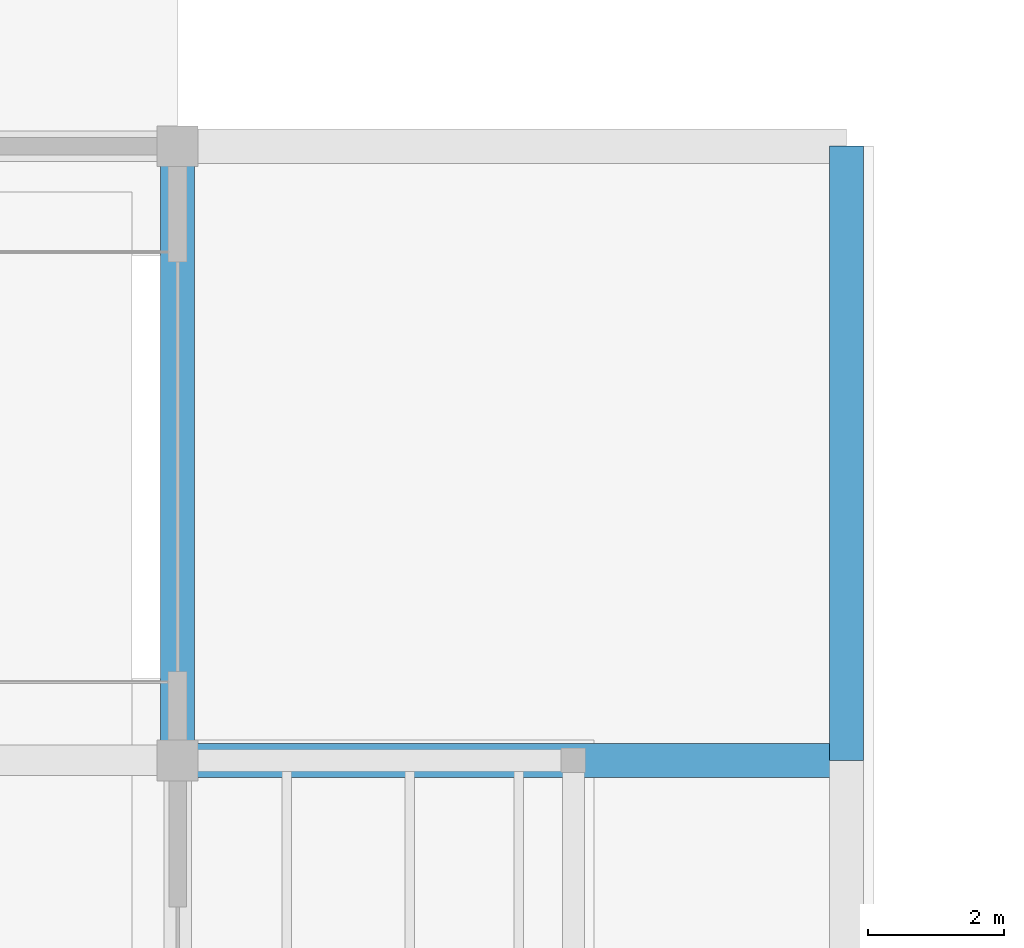
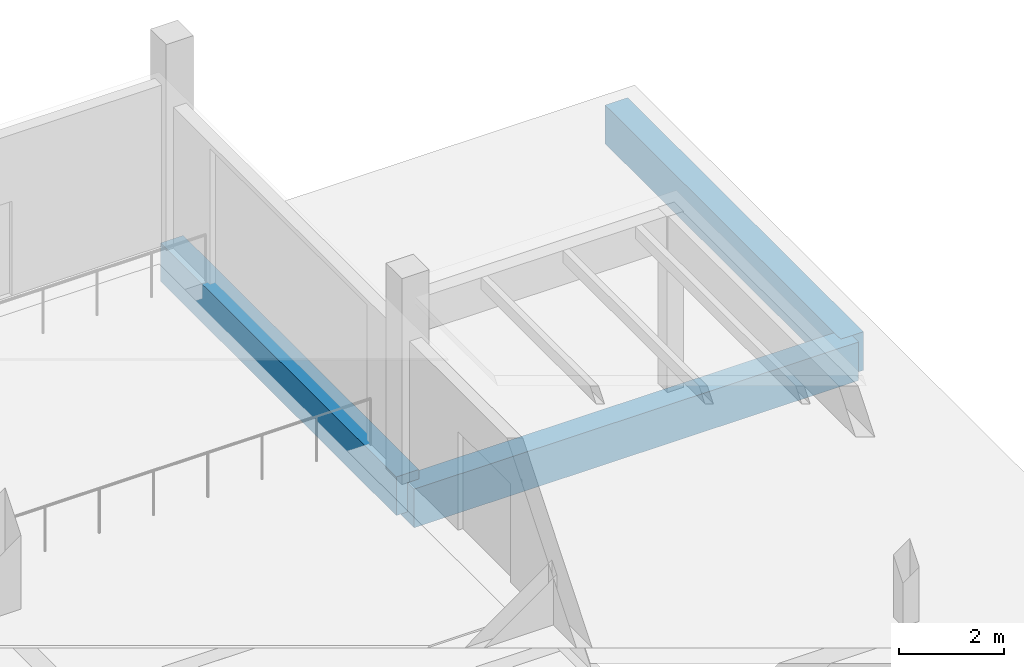
# One storey, part 91 of 151: 3 beams.
"""IFC4 building model written with IfcOpenShell, lengths in metres."""

from ifc_helpers import new_model, si_unit, direction, frame, origin, origin_2d, place, context, subcontext, project, spatial, rectangle, extrude, material, material_profile, profile_set, type_object, element, save


model = new_model("IFC4")

# Units and contexts
model_context = context("Model", 3, precision=1e-05, world=origin(), true_north=direction((0.0, 1.0)))
body_context = subcontext(model_context, "Body", "Model", "MODEL_VIEW")
ifc_project = project(units=[si_unit("LENGTHUNIT", "METRE"), si_unit("AREAUNIT", "SQUARE_METRE"), si_unit("VOLUMEUNIT", "CUBIC_METRE"), si_unit("PLANEANGLEUNIT", "RADIAN"), si_unit("MASSUNIT", "GRAM", prefix="KILO")], contexts=[model_context])

# Site, building, storey
site_placement = place(None, origin())
site = spatial("IfcSite", under=ifc_project, at=site_placement, CompositionType="ELEMENT")
building_placement = place(site_placement, origin())
building = spatial("IfcBuilding", under=site, at=building_placement, Name="Chiffa Square Polytechnic", CompositionType="ELEMENT")
storey_placement = place(building_placement, origin())
storey = spatial("IfcBuildingStorey", under=building, at=storey_placement, Name="L00", CompositionType="ELEMENT", Elevation=0.0)

# Beams
ifc_material = material(Name="Concrete C35/45", Category="concrete")
ifc_material_profile = material_profile(ifc_material, rectangle(XDim=0.5, YDim=0.89990234375, at=origin_2d()), Name="RC 500x900")
ifc_profile_set = profile_set([ifc_material_profile], Name="Concrete C35/45")
beam_type = type_object("IfcBeamType", Name="GB-RC-500X900", PredefinedType="BEAM", material=ifc_profile_set)
beam_placement = place(storey_placement, frame((148.199951171875, 121.800048828125, -0.68994140625), z_axis=(1.0, 0.0, 0.0), x_axis=(0.0, 1.0, 0.0)))
element("IfcBeam", 1, at=beam_placement, inside=storey, type_object=beam_type, Name="Ramp apron tie beam GB-RMPAPR-TIE-04", PredefinedType="BEAM", context=body_context, shape_type="SweptSolid", body=[
    extrude(rectangle(XDim=0.5, YDim=0.89990234375, at=origin_2d()), origin(), (0.0, 0.0, 1.0), 9.800048828125),
])
for number, where, z_axis, x_axis, name in (
    (2, (158.0, 121.800048828125, -0.68994140625), (0.0, 1.0, 0.0), (-1.0, 0.0, 0.0), "Ramp apron edge beam GB-RMPAPR-EDGE-04"),
    (3, (148.199951171875, 121.800048828125, -0.469970703125), (0.0, 1.0, 0.0), (-1.0, 0.0, 0.0), "Vehicle ramp top bearing beam GB-RAMP-HEAD-L00"),
):
    element("IfcBeam", number, at=place(storey_placement, frame(where, z_axis=z_axis, x_axis=x_axis)), inside=storey, type_object=beam_type, Name=name, PredefinedType="BEAM", context=body_context, shape_type="SweptSolid", body=[
        extrude(rectangle(XDim=0.5, YDim=0.89990234375, at=origin_2d()), origin(), (0.0, 0.0, 1.0), 9.0),
    ])

save(model, "model.ifc")
